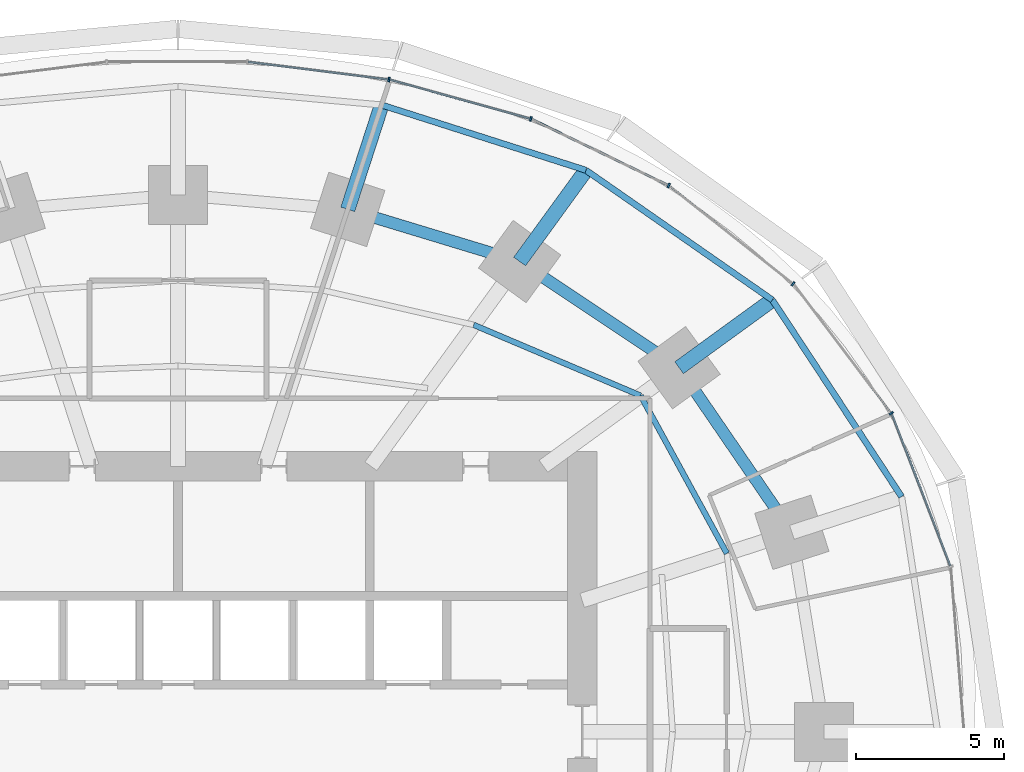
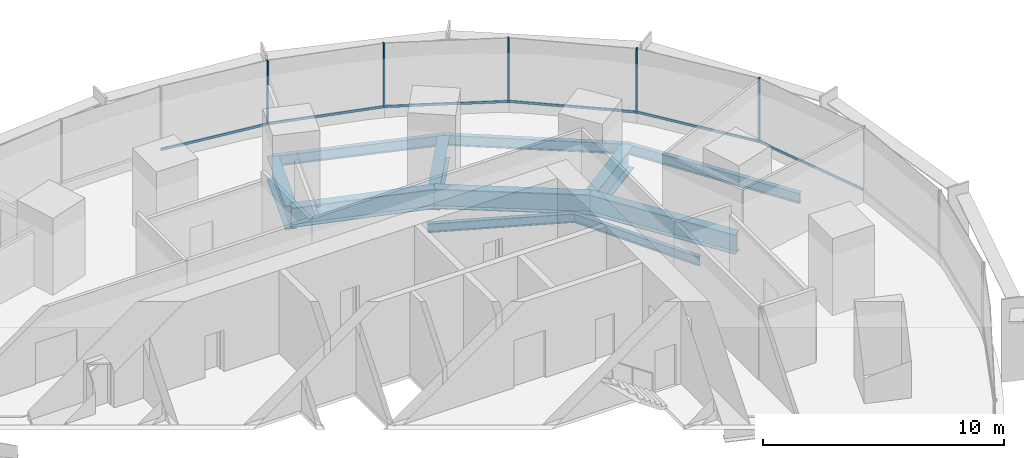
# One storey, part 9 of 15: 11 beams, 11 members, 2 elements without a shape of their own.
"""IFC4 building model written with IfcOpenShell, lengths in metres."""

from ifc_helpers import new_model, si_unit, direction, frame, origin, origin_2d, place, context, subcontext, project, spatial, rectangle, i_section, extrude, material, material_profile, profile_set, type_object, element, aggregate, save


model = new_model("IFC4")

# Units and contexts
model_context = context("Model", 3, precision=1e-05, world=origin(), true_north=direction((0.0, 1.0)))
body_context = subcontext(model_context, "Body", "Model", "MODEL_VIEW")
ifc_project = project(units=[si_unit("LENGTHUNIT", "METRE"), si_unit("AREAUNIT", "SQUARE_METRE"), si_unit("VOLUMEUNIT", "CUBIC_METRE"), si_unit("PLANEANGLEUNIT", "RADIAN"), si_unit("MASSUNIT", "GRAM", prefix="KILO")], contexts=[model_context])

# Site, building, storey
site_placement = place(None, origin())
site = spatial("IfcSite", under=ifc_project, at=site_placement, CompositionType="ELEMENT")
building_placement = place(site_placement, origin())
building = spatial("IfcBuilding", under=site, at=building_placement, Name="Marramba Exchange Tower", CompositionType="ELEMENT")
storey_placement = place(building_placement, frame((0.0, 0.0, 70.0)))
storey = spatial("IfcBuildingStorey", under=building, at=storey_placement, Name="L16", CompositionType="ELEMENT", Elevation=70.0)

# Beams
ifc_material_1 = material(Name="Steel AS/NZS 3679.2 grade 300", Category="steel")
ifc_material_profile_1 = material_profile(ifc_material_1, i_section(OverallWidth=0.5, OverallDepth=1.199951171875, WebThickness=0.01611328125, FlangeThickness=0.0400390625, at=origin_2d()), Name="1200WB455")
ifc_profile_set_1 = profile_set([ifc_material_profile_1], Name="Steel AS/NZS 3679.2 grade 300")
beam_type_1 = type_object("IfcBeamType", Name="Cantilever girder 1200WB455", PredefinedType="BEAM", material=ifc_profile_set_1)
beam_1_placement = place(storey_placement, frame((16.98583984375, 12.3408203125, -0.760009765625), z_axis=(0.808987260856, 0.587826174793, 0.0), x_axis=(-0.587826174793, 0.808987260856, 0.0)))
element("IfcBeam", 1, at=beam_1_placement, inside=storey, type_object=beam_type_1, Name="Cantilever girder L16 TC03", PredefinedType="BEAM", context=body_context, shape_type="SweptSolid", body=[
    extrude(i_section(OverallWidth=0.5, OverallDepth=1.199951171875, WebThickness=0.01611328125, FlangeThickness=0.0400390625, at=origin_2d()), origin(), (0.0, 0.0, 1.0), 3.90771484375),
])
beam_2_placement = place(storey_placement, frame((11.581298828125, 15.9404296875, -0.760009765625), z_axis=(0.587795827483, 0.809009310944, 0.0), x_axis=(-0.809009310944, 0.587795827483, 0.0)))
element("IfcBeam", 2, at=beam_2_placement, inside=storey, type_object=beam_type_1, Name="Cantilever girder L16 TC04", PredefinedType="BEAM", context=body_context, shape_type="SweptSolid", body=[
    extrude(i_section(OverallWidth=0.5, OverallDepth=1.199951171875, WebThickness=0.01611328125, FlangeThickness=0.0400390625, at=origin_2d()), origin(), (0.0, 0.0, 1.0), 3.82421875),
])
beam_3_placement = place(storey_placement, frame((5.75390625, 17.70849609375, -0.760009765625), z_axis=(0.308973290646, 0.951070715387, 0.0), x_axis=(-0.951070715387, 0.308973290646, 0.0)))
element("IfcBeam", 3, at=beam_3_placement, inside=storey, type_object=beam_type_1, Name="Cantilever girder L16 TC05", PredefinedType="BEAM", context=body_context, shape_type="SweptSolid", body=[
    extrude(i_section(OverallWidth=0.5, OverallDepth=1.199951171875, WebThickness=0.01611328125, FlangeThickness=0.0400390625, at=origin_2d()), origin(), (0.0, 0.0, 1.0), 3.72021484375),
])
ifc_material_2 = material(Name="Steel AS/NZS 3679.1 grade 300", Category="steel")
ifc_material_profile_2 = material_profile(ifc_material_2, i_section(OverallWidth=0.18994140625, OverallDepth=0.4541015625, WebThickness=0.008544921875, FlangeThickness=0.0126953125, FilletRadius=0.011474609375, at=origin_2d()), Name="460UB67.1")
ifc_profile_set_2 = profile_set([ifc_material_profile_2], Name="Steel AS/NZS 3679.1 grade 300")
beam_type_2 = type_object("IfcBeamType", Name="Floor joist 460UB67.1", PredefinedType="JOIST", material=ifc_profile_set_2)
beam_4_placement = place(storey_placement, frame((18.60546875, 6.04541015625, -0.386962890625), z_axis=(-0.479584443791, 0.877495732909, 0.0), x_axis=(-0.877495732909, -0.479584443791, 0.0)))
element("IfcBeam", 4, at=beam_4_placement, inside=storey, type_object=beam_type_2, Name="Joist L16 bay 02 row 2", PredefinedType="JOIST", context=body_context, shape_type="SweptSolid", body=[
    extrude(i_section(OverallWidth=0.18994140625, OverallDepth=0.4541015625, WebThickness=0.008544921875, FlangeThickness=0.0126953125, FilletRadius=0.011474609375, at=origin_2d()), origin(), (0.0, 0.0, 1.0), 6.094970703125),
])
beam_5_placement = place(storey_placement, frame((15.682373046875, 11.393798828125, -0.386962890625), z_axis=(-0.920674336375, 0.390331610738, 0.0), x_axis=(-0.390331610738, -0.920674336375, 0.0)))
element("IfcBeam", 5, at=beam_5_placement, inside=storey, type_object=beam_type_2, Name="Joist L16 bay 03 row 2", PredefinedType="JOIST", context=body_context, shape_type="SweptSolid", body=[
    extrude(i_section(OverallWidth=0.18994140625, OverallDepth=0.4541015625, WebThickness=0.008544921875, FlangeThickness=0.0126953125, FilletRadius=0.011474609375, at=origin_2d()), origin(), (0.0, 0.0, 1.0), 6.1484375),
])
ifc_material_profile_3 = material_profile(ifc_material_1, i_section(OverallWidth=0.39990234375, OverallDepth=1.0, WebThickness=0.01611328125, FlangeThickness=0.031982421875, at=origin_2d()), Name="1000WB322")
ifc_profile_set_3 = profile_set([ifc_material_profile_3], Name="Steel AS/NZS 3679.2 grade 300")
beam_type_3 = type_object("IfcBeamType", Name="Ring beam 1000WB322", PredefinedType="SPANDREL", material=ifc_profile_set_3)
beam_6_placement = place(storey_placement, frame((20.808349609375, 6.760986328125, -0.659912109375), z_axis=(-0.56516002054, 0.824981303535, 0.0), x_axis=(-0.824981303535, -0.56516002054, 0.0)))
element("IfcBeam", 6, at=beam_6_placement, inside=storey, type_object=beam_type_3, Name="Ring beam L16 TC02-TC03", PredefinedType="SPANDREL", context=body_context, shape_type="SweptSolid", body=[
    extrude(i_section(OverallWidth=0.39990234375, OverallDepth=1.0, WebThickness=0.01611328125, FlangeThickness=0.031982421875, at=origin_2d()), origin(), (0.0, 0.0, 1.0), 6.763671875),
])
beam_7_placement = place(storey_placement, frame((16.98583984375, 12.3408203125, -0.659912109375), z_axis=(-0.832293151443, 0.554335737673, 0.0), x_axis=(-0.554335737673, -0.832293151443, 0.0)))
element("IfcBeam", 7, at=beam_7_placement, inside=storey, type_object=beam_type_3, Name="Ring beam L16 TC03-TC04", PredefinedType="SPANDREL", context=body_context, shape_type="SweptSolid", body=[
    extrude(i_section(OverallWidth=0.39990234375, OverallDepth=1.0, WebThickness=0.01611328125, FlangeThickness=0.031982421875, at=origin_2d()), origin(), (0.0, 0.0, 1.0), 6.49365234375),
])
beam_8_placement = place(storey_placement, frame((11.581298828125, 15.9404296875, -0.659912109375), z_axis=(-0.956924542524, 0.290336735387, 0.0), x_axis=(-0.290336735387, -0.956924542524, 0.0)))
element("IfcBeam", 8, at=beam_8_placement, inside=storey, type_object=beam_type_3, Name="Ring beam L16 TC04-TC05", PredefinedType="SPANDREL", context=body_context, shape_type="SweptSolid", body=[
    extrude(i_section(OverallWidth=0.39990234375, OverallDepth=1.0, WebThickness=0.01611328125, FlangeThickness=0.031982421875, at=origin_2d()), origin(), (0.0, 0.0, 1.0), 6.089599609375),
])
ifc_material_profile_4 = material_profile(ifc_material_2, i_section(OverallWidth=0.208984375, OverallDepth=0.528076171875, WebThickness=0.009521484375, FlangeThickness=0.01318359375, FilletRadius=0.013916015625, at=origin_2d()), Name="530UB82.0")
ifc_profile_set_4 = profile_set([ifc_material_profile_4], Name="Steel AS/NZS 3679.1 grade 300")
beam_type_4 = type_object("IfcBeamType", Name="Slab edge beam 530UB82.0", PredefinedType="SPANDREL", material=ifc_profile_set_4)
beam_9_placement = place(storey_placement, frame((24.528564453125, 7.9697265625, -0.424072265625), z_axis=(-0.549123544095, 0.835741188001, 0.0), x_axis=(-0.835741188001, -0.549123544095, 0.0)))
element("IfcBeam", 9, at=beam_9_placement, inside=storey, type_object=beam_type_4, Name="Slab edge beam L16 TC02-TC03", PredefinedType="SPANDREL", context=body_context, shape_type="SweptSolid", body=[
    extrude(i_section(OverallWidth=0.208984375, OverallDepth=0.528076171875, WebThickness=0.009521484375, FlangeThickness=0.01318359375, FilletRadius=0.013916015625, at=origin_2d()), origin(), (0.0, 0.0, 1.0), 7.978759765625),
])
beam_10_placement = place(storey_placement, frame((20.147216796875, 14.637939453125, -0.424072265625), z_axis=(-0.820842487183, 0.571154629882, 0.0), x_axis=(-0.571154629882, -0.820842487183, 0.0)))
element("IfcBeam", 10, at=beam_10_placement, inside=storey, type_object=beam_type_4, Name="Slab edge beam L16 TC03-TC04", PredefinedType="SPANDREL", context=body_context, shape_type="SweptSolid", body=[
    extrude(i_section(OverallWidth=0.208984375, OverallDepth=0.528076171875, WebThickness=0.009521484375, FlangeThickness=0.01318359375, FilletRadius=0.013916015625, at=origin_2d()), origin(), (0.0, 0.0, 1.0), 7.697021484375),
])
beam_11_placement = place(storey_placement, frame((13.8291015625, 19.0341796875, -0.424072265625), z_axis=(-0.952577642997, 0.304295635957, 0.0), x_axis=(-0.304295635957, -0.952577642997, 0.0)))
element("IfcBeam", 11, at=beam_11_placement, inside=storey, type_object=beam_type_4, Name="Slab edge beam L16 TC04-TC05", PredefinedType="SPANDREL", context=body_context, shape_type="SweptSolid", body=[
    extrude(i_section(OverallWidth=0.208984375, OverallDepth=0.528076171875, WebThickness=0.009521484375, FlangeThickness=0.01318359375, FilletRadius=0.013916015625, at=origin_2d()), origin(), (0.0, 0.0, 1.0), 7.2705078125),
])

# Curtain wall, members
ifc_material_3 = material(Name="Aluminium framing, bronze anodised", Category="aluminium")
curtain_wall_type = type_object("IfcCurtainWallType", Name="Trading floor ribbon curtain wall", PredefinedType="USERDEFINED", material=ifc_material_3)
curtain_wall_1_placement = place(storey_placement, origin())
curtain_wall_1 = element("IfcCurtainWall", 12, at=curtain_wall_1_placement, inside=storey, type_object=curtain_wall_type, Name="Curtain wall CW3 L16 F01-F05", ObjectType="RIBBON CURTAIN WALL", PredefinedType="USERDEFINED")
ifc_material_4 = material(Name="Aluminium mullion, bronze anodised", Category="aluminium")
ifc_material_profile_5 = material_profile(ifc_material_4, rectangle(XDim=0.159912109375, YDim=0.06005859375, at=origin_2d()), Name="CW3 mullion 60x160")
ifc_profile_set_5 = profile_set([ifc_material_profile_5], Name="Aluminium mullion, bronze anodised")
member_type_1 = type_object("IfcMemberType", Name="Trading floor ribbon curtain wall mullion", PredefinedType="MULLION", material=ifc_profile_set_5)
member_1_placement = place(storey_placement, frame((24.178466796875, 10.796875, 0.800048828125), z_axis=(0.0, 0.0, 1.0), x_axis=(-0.797748922445, -0.602989765036, 0.0)))
member_1 = element("IfcMember", 13, at=member_1_placement, type_object=member_type_1, Name="CW3 mullion 1", PredefinedType="MULLION", context=body_context, shape_type="SweptSolid", body=[
    extrude(rectangle(XDim=0.159912109375, YDim=0.06005859375, at=origin_2d()), origin(), (0.0, 0.0, 1.0), 3.239990234375),
])
member_2_placement = place(storey_placement, frame((20.851806640625, 15.185546875, 0.800048828125), z_axis=(0.0, 0.0, 1.0), x_axis=(-0.620649730166, -0.784087949432, 0.0)))
member_2 = element("IfcMember", 14, at=member_2_placement, type_object=member_type_1, Name="CW3 mullion 1", PredefinedType="MULLION", context=body_context, shape_type="SweptSolid", body=[
    extrude(rectangle(XDim=0.159912109375, YDim=0.06005859375, at=origin_2d()), origin(), (0.0, 0.0, 1.0), 3.239990234375),
])
member_3_placement = place(storey_placement, frame((16.63330078125, 18.516357421875, 0.800048828125), z_axis=(0.0, 0.0, 1.0), x_axis=(-0.43596538664, -0.899963433508, 0.0)))
member_3 = element("IfcMember", 15, at=member_3_placement, type_object=member_type_1, Name="CW3 mullion 1", PredefinedType="MULLION", context=body_context, shape_type="SweptSolid", body=[
    extrude(rectangle(XDim=0.159912109375, YDim=0.06005859375, at=origin_2d()), origin(), (0.0, 0.0, 1.0), 3.239990234375),
])

curtain_wall_2_placement = place(storey_placement, origin())
curtain_wall_2 = element("IfcCurtainWall", 16, at=curtain_wall_2_placement, inside=storey, type_object=curtain_wall_type, Name="Curtain wall CW3 L16 F06-F10", ObjectType="RIBBON CURTAIN WALL", PredefinedType="USERDEFINED")
member_4_placement = place(storey_placement, frame((11.96044921875, 20.774169921875, 0.800048828125), z_axis=(0.0, 0.0, 1.0), x_axis=(-0.267808735815, -0.963472096649, 0.0)))
member_4 = element("IfcMember", 17, at=member_4_placement, type_object=member_type_1, Name="CW3 mullion 1", PredefinedType="MULLION", context=body_context, shape_type="SweptSolid", body=[
    extrude(rectangle(XDim=0.159912109375, YDim=0.06005859375, at=origin_2d()), origin(), (0.0, 0.0, 1.0), 3.239990234375),
])
member_5_placement = place(storey_placement, frame((7.15185546875, 22.106201171875, 0.800048828125), z_axis=(0.0, 0.0, 1.0), x_axis=(-0.124872723099, -0.992172768738, 0.0)))
member_5 = element("IfcMember", 18, at=member_5_placement, type_object=member_type_1, Name="CW3 mullion 1", PredefinedType="MULLION", context=body_context, shape_type="SweptSolid", body=[
    extrude(rectangle(XDim=0.159912109375, YDim=0.06005859375, at=origin_2d()), origin(), (0.0, 0.0, 1.0), 3.239990234375),
])

# Member
ifc_material_5 = material(Name="Aluminium transom, bronze anodised", Category="aluminium")
ifc_material_profile_6 = material_profile(ifc_material_5, rectangle(XDim=0.06005859375, YDim=0.1201171875, at=origin_2d()), Name="CW3 transom 60x120")
ifc_profile_set_6 = profile_set([ifc_material_profile_6], Name="Aluminium transom, bronze anodised")
member_type_2 = type_object("IfcMemberType", Name="Trading floor ribbon curtain wall transom", PredefinedType="USERDEFINED", material=ifc_profile_set_6)
member_6_placement = place(storey_placement, frame((26.179931640625, 5.625244140625, 0.830078125), z_axis=(-0.359533581349, 0.933132147063, 0.0), x_axis=(-0.933132147063, -0.359533581349, 0.0)))
member_6 = element("IfcMember", 19, at=member_6_placement, type_object=member_type_2, Name="CW3 sill transom", ObjectType="TRANSOM", PredefinedType="USERDEFINED", context=body_context, shape_type="SweptSolid", body=[
    extrude(rectangle(XDim=0.06005859375, YDim=0.1201171875, at=origin_2d()), origin(), (0.0, 0.0, 1.0), 5.5166015625),
])

member_7_placement = place(storey_placement, frame((24.160400390625, 10.82080078125, 0.830078125), z_axis=(-0.602985866158, 0.797751869452, 0.0), x_axis=(-0.797751869452, -0.602985866158, 0.0)))
member_7 = element("IfcMember", 20, at=member_7_placement, type_object=member_type_2, Name="CW3 sill transom", ObjectType="TRANSOM", PredefinedType="USERDEFINED", context=body_context, shape_type="SweptSolid", body=[
    extrude(rectangle(XDim=0.06005859375, YDim=0.1201171875, at=origin_2d()), origin(), (0.0, 0.0, 1.0), 5.44775390625),
])

member_8_placement = place(storey_placement, frame((20.828369140625, 15.2041015625, 0.830078125), z_axis=(-0.784097975735, 0.620637063385, 0.0), x_axis=(-0.620637063385, -0.784097975735, 0.0)))
member_8 = element("IfcMember", 21, at=member_8_placement, type_object=member_type_2, Name="CW3 sill transom", ObjectType="TRANSOM", PredefinedType="USERDEFINED", context=body_context, shape_type="SweptSolid", body=[
    extrude(rectangle(XDim=0.06005859375, YDim=0.1201171875, at=origin_2d()), origin(), (0.0, 0.0, 1.0), 5.315673828125),
])

member_9_placement = place(storey_placement, frame((16.6064453125, 18.529296875, 0.830078125), z_axis=(-0.89995331781, 0.43598626786, 0.0), x_axis=(-0.43598626786, -0.89995331781, 0.0)))
member_9 = element("IfcMember", 22, at=member_9_placement, type_object=member_type_2, Name="CW3 sill transom", ObjectType="TRANSOM", PredefinedType="USERDEFINED", context=body_context, shape_type="SweptSolid", body=[
    extrude(rectangle(XDim=0.06005859375, YDim=0.1201171875, at=origin_2d()), origin(), (0.0, 0.0, 1.0), 5.13037109375),
])

aggregate(curtain_wall_1, [member_6, member_1, member_7, member_2, member_8, member_3, member_9])

member_10_placement = place(storey_placement, frame((11.931396484375, 20.7822265625, 0.830078125), z_axis=(-0.963468938163, 0.267820098565, 0.0), x_axis=(-0.267820098565, -0.963468938163, 0.0)))
member_10 = element("IfcMember", 23, at=member_10_placement, type_object=member_type_2, Name="CW3 sill transom", ObjectType="TRANSOM", PredefinedType="USERDEFINED", context=body_context, shape_type="SweptSolid", body=[
    extrude(rectangle(XDim=0.06005859375, YDim=0.1201171875, at=origin_2d()), origin(), (0.0, 0.0, 1.0), 4.929931640625),
])

member_11_placement = place(storey_placement, frame((7.1220703125, 22.10986328125, 0.830078125), z_axis=(-0.99216810728, 0.124909755012, 0.0), x_axis=(-0.124909755012, -0.99216810728, 0.0)))
member_11 = element("IfcMember", 24, at=member_11_placement, type_object=member_type_2, Name="CW3 sill transom", ObjectType="TRANSOM", PredefinedType="USERDEFINED", context=body_context, shape_type="SweptSolid", body=[
    extrude(rectangle(XDim=0.06005859375, YDim=0.1201171875, at=origin_2d()), origin(), (0.0, 0.0, 1.0), 4.77294921875),
])

aggregate(curtain_wall_2, [member_4, member_10, member_5, member_11])

save(model, "model.ifc")
